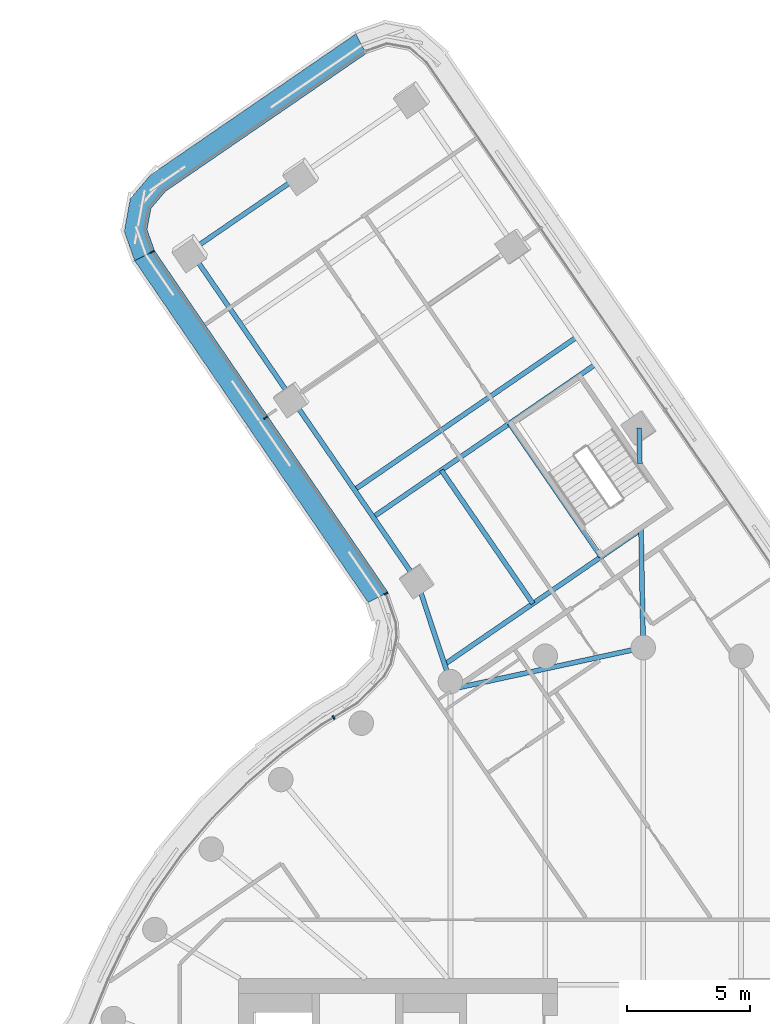
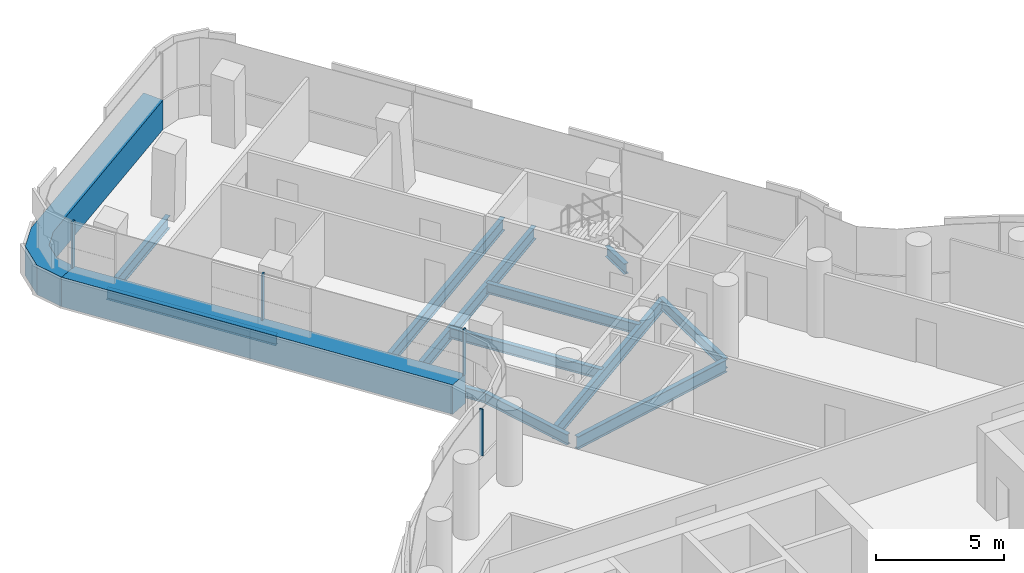
# One storey, part 15 of 33: 12 beams, 6 members, 3 elements without a shape of their own.
"""IFC4 building model written with IfcOpenShell, lengths in metres."""

from ifc_helpers import new_model, si_unit, direction, frame, origin, origin_2d, place, context, subcontext, project, spatial, polyline, rectangle, i_section, outline, extrude, material, layer, layer_set, material_profile, profile_set, type_object, element, aggregate, save


model = new_model("IFC4")

# Units and contexts
model_context = context("Model", 3, precision=1e-05, world=origin(), true_north=direction((0.0, 1.0)))
body_context = subcontext(model_context, "Body", "Model", "MODEL_VIEW")
ifc_project = project(units=[si_unit("LENGTHUNIT", "METRE"), si_unit("AREAUNIT", "SQUARE_METRE"), si_unit("VOLUMEUNIT", "CUBIC_METRE"), si_unit("PLANEANGLEUNIT", "RADIAN"), si_unit("MASSUNIT", "GRAM", prefix="KILO")], contexts=[model_context])

# Site, building, storey
site_placement = place(None, origin())
site = spatial("IfcSite", under=ifc_project, at=site_placement, CompositionType="ELEMENT")
building_placement = place(site_placement, origin())
building = spatial("IfcBuilding", under=site, at=building_placement, Name="Tamarind Cross Interchange Tower", CompositionType="ELEMENT")
storey_placement = place(building_placement, frame((0.0, 0.0, 159.25)))
storey = spatial("IfcBuildingStorey", under=building, at=storey_placement, Name="L39", CompositionType="ELEMENT", Elevation=159.25)

# Beams
ifc_material_1 = material(Name="Steel Q355B", Category="steel")
ifc_material_profile_1 = material_profile(ifc_material_1, i_section(OverallWidth=0.198974609375, OverallDepth=0.49609375, WebThickness=0.009033203125, FlangeThickness=0.013916015625, FilletRadius=0.012939453125, at=origin_2d()), Name="HN 496x199x9x14")
ifc_profile_set_1 = profile_set([ifc_material_profile_1], Name="Steel Q355B")
beam_type_1 = type_object("IfcBeamType", Name="Composite beam HN 496x199x9x14 Q355B", PredefinedType="BEAM", material=ifc_profile_set_1)
beam_1_placement = place(storey_placement, frame((-18.468994140625, 39.1787109375, -0.387939453125), z_axis=(0.566075553028, -0.824353363712, 0.0), x_axis=(0.824353363712, 0.566075553028, 0.0)))
element("IfcBeam", 1, at=beam_1_placement, inside=storey, type_object=beam_type_1, Name="Beam N-edgeep2", PredefinedType="BEAM", context=body_context, shape_type="SweptSolid", body=[
    extrude(i_section(OverallWidth=0.198974609375, OverallDepth=0.49609375, WebThickness=0.009033203125, FlangeThickness=0.013916015625, FilletRadius=0.012939453125, at=origin_2d()), origin(), (0.0, 0.0, 1.0), 7.31640625),
])
beam_2_placement = place(storey_placement, frame((-14.327392578125, 33.1474609375, -0.387939453125), z_axis=(0.566109686972, -0.824329923221, 0.0), x_axis=(0.824329923221, 0.566109686972, 0.0)))
element("IfcBeam", 2, at=beam_2_placement, inside=storey, type_object=beam_type_1, Name="Beam N-edgeep3", PredefinedType="BEAM", context=body_context, shape_type="SweptSolid", body=[
    extrude(i_section(OverallWidth=0.198974609375, OverallDepth=0.49609375, WebThickness=0.009033203125, FlangeThickness=0.013916015625, FilletRadius=0.012939453125, at=origin_2d()), origin(), (0.0, 0.0, 1.0), 9.0),
])
beam_3_placement = place(storey_placement, frame((-0.164794921875, 31.95556640625, -0.387939453125), z_axis=(0.018490449575, -0.999829037023, 0.0), x_axis=(0.999829037023, 0.018490449575, 0.0)))
element("IfcBeam", 3, at=beam_3_placement, inside=storey, type_object=beam_type_1, Name="Beam N-linkemt0", PredefinedType="BEAM", context=body_context, shape_type="SweptSolid", body=[
    extrude(i_section(OverallWidth=0.198974609375, OverallDepth=0.49609375, WebThickness=0.009033203125, FlangeThickness=0.013916015625, FilletRadius=0.012939453125, at=origin_2d()), origin(), (0.0, 0.0, 1.0), 1.452392578125),
])
beam_4_placement = place(storey_placement, frame((-0.08984375, 27.882568359375, -0.387939453125), z_axis=(0.018397805618, -0.999830746051, 0.0), x_axis=(0.999830746051, 0.018397805618, 0.0)))
element("IfcBeam", 4, at=beam_4_placement, inside=storey, type_object=beam_type_1, Name="Beam N-linkemt1", PredefinedType="BEAM", context=body_context, shape_type="SweptSolid", body=[
    extrude(i_section(OverallWidth=0.198974609375, OverallDepth=0.49609375, WebThickness=0.009033203125, FlangeThickness=0.013916015625, FilletRadius=0.012939453125, at=origin_2d()), origin(), (0.0, 0.0, 1.0), 4.88330078125),
])
beam_5_placement = place(storey_placement, frame((-9.232421875, 25.728515625, -0.387939453125), z_axis=(0.315011376477, -0.949087895134, 0.0), x_axis=(0.949087895134, 0.315011376477, 0.0)))
element("IfcBeam", 5, at=beam_5_placement, inside=storey, type_object=beam_type_1, Name="Beam N-linkep", PredefinedType="BEAM", context=body_context, shape_type="SweptSolid", body=[
    extrude(i_section(OverallWidth=0.198974609375, OverallDepth=0.49609375, WebThickness=0.009033203125, FlangeThickness=0.013916015625, FilletRadius=0.012939453125, at=origin_2d()), origin(), (0.0, 0.0, 1.0), 4.336181640625),
])
beam_6_placement = place(storey_placement, frame((-1.715087890625, 26.70556640625, -0.387939453125), z_axis=(-0.566103307052, 0.824334304603, 0.0), x_axis=(-0.824334304603, -0.566103307052, 0.0)))
element("IfcBeam", 6, at=beam_6_placement, inside=storey, type_object=beam_type_1, Name="Beam N-tr1", PredefinedType="BEAM", context=body_context, shape_type="SweptSolid", body=[
    extrude(i_section(OverallWidth=0.198974609375, OverallDepth=0.49609375, WebThickness=0.009033203125, FlangeThickness=0.013916015625, FilletRadius=0.012939453125, at=origin_2d()), origin(), (0.0, 0.0, 1.0), 6.60009765625),
])
beam_7_placement = place(storey_placement, frame((-4.497314453125, 24.795166015625, -0.387939453125), z_axis=(-0.566078170186, 0.824351566529, 0.0), x_axis=(-0.824351566529, -0.566078170186, 0.0)))
element("IfcBeam", 7, at=beam_7_placement, inside=storey, type_object=beam_type_1, Name="Beam N-stripp", PredefinedType="BEAM", context=body_context, shape_type="SweptSolid", body=[
    extrude(i_section(OverallWidth=0.198974609375, OverallDepth=0.49609375, WebThickness=0.009033203125, FlangeThickness=0.013916015625, FilletRadius=0.012939453125, at=origin_2d()), origin(), (0.0, 0.0, 1.0), 6.599853515625),
])
ifc_material_profile_2 = material_profile(ifc_material_1, i_section(OverallWidth=0.199951171875, OverallDepth=0.60009765625, WebThickness=0.010986328125, FlangeThickness=0.01708984375, FilletRadius=0.012939453125, at=origin_2d()), Name="HN 600x200x11x17")
ifc_profile_set_2 = profile_set([ifc_material_profile_2], Name="Steel Q355B")
beam_type_2 = type_object("IfcBeamType", Name="Composite beam HN 600x200x11x17 Q355B", PredefinedType="BEAM", material=ifc_profile_set_2)
beam_8_placement = place(storey_placement, frame((-13.935302734375, 42.292236328125, -0.43994140625), z_axis=(-0.824329354689, -0.566110514828, 0.0), x_axis=(0.566110514828, -0.824329354689, 0.0)))
element("IfcBeam", 8, at=beam_8_placement, inside=storey, type_object=beam_type_2, Name="Beam N-tip1", PredefinedType="BEAM", context=body_context, shape_type="SweptSolid", body=[
    extrude(i_section(OverallWidth=0.199951171875, OverallDepth=0.60009765625, WebThickness=0.010986328125, FlangeThickness=0.01708984375, FilletRadius=0.012939453125, at=origin_2d()), origin(), (0.0, 0.0, 1.0), 5.499755859375),
])
beam_9_placement = place(storey_placement, frame((-0.088623046875, 27.822509765625, -0.43994140625), z_axis=(-0.824343745546, -0.566089559327, 0.0), x_axis=(0.566089559327, -0.824343745546, 0.0)))
element("IfcBeam", 9, at=beam_9_placement, inside=storey, type_object=beam_type_2, Name="Beam N-x268", PredefinedType="BEAM", context=body_context, shape_type="SweptSolid", body=[
    extrude(i_section(OverallWidth=0.199951171875, OverallDepth=0.60009765625, WebThickness=0.010986328125, FlangeThickness=0.01708984375, FilletRadius=0.012939453125, at=origin_2d()), origin(), (0.0, 0.0, 1.0), 9.719970703125),
])
beam_10_placement = place(storey_placement, frame((-1.947998046875, 34.55224609375, -0.43994140625), z_axis=(-0.824336467633, -0.566100157331, 0.0), x_axis=(0.566100157331, -0.824336467633, 0.0)))
element("IfcBeam", 10, at=beam_10_placement, inside=storey, type_object=beam_type_2, Name="Beam N-x334", PredefinedType="BEAM", context=body_context, shape_type="SweptSolid", body=[
    extrude(i_section(OverallWidth=0.199951171875, OverallDepth=0.60009765625, WebThickness=0.010986328125, FlangeThickness=0.01708984375, FilletRadius=0.012939453125, at=origin_2d()), origin(), (0.0, 0.0, 1.0), 11.0),
])
beam_11_placement = place(storey_placement, frame((0.0, 23.0, -0.43994140625), z_axis=(-0.977344360943, -0.21165538059, 0.0), x_axis=(0.21165538059, -0.977344360943, 0.0)))
element("IfcBeam", 11, at=beam_11_placement, inside=storey, type_object=beam_type_2, Name="Beam N-x258", PredefinedType="BEAM", context=body_context, shape_type="SweptSolid", body=[
    extrude(i_section(OverallWidth=0.199951171875, OverallDepth=0.60009765625, WebThickness=0.010986328125, FlangeThickness=0.01708984375, FilletRadius=0.012939453125, at=origin_2d()), origin(), (0.0, 0.0, 1.0), 7.855224609375),
])
beam_12_placement = place(storey_placement, frame((-2.712158203125, 35.6650390625, -0.43994140625), z_axis=(-0.824336467633, -0.566100157331, 0.0), x_axis=(0.566100157331, -0.824336467633, 0.0)))
element("IfcBeam", 12, at=beam_12_placement, inside=storey, type_object=beam_type_2, Name="Beam N-x348", PredefinedType="BEAM", context=body_context, shape_type="SweptSolid", body=[
    extrude(i_section(OverallWidth=0.199951171875, OverallDepth=0.60009765625, WebThickness=0.010986328125, FlangeThickness=0.01708984375, FilletRadius=0.012939453125, at=origin_2d()), origin(), (0.0, 0.0, 1.0), 11.0),
])

# Curtain wall, member
ifc_material_2 = material(Name="Aluminium 6063-T6", Category="aluminium")
ifc_layer = layer(ifc_material_2, 0.159912109375)
ifc_layer_set = layer_set([ifc_layer], Name="Aluminium 6063-T6")
curtain_wall_type = type_object("IfcCurtainWallType", Name="Office curtain wall, 9.0 m bays", PredefinedType="NOTDEFINED", material=ifc_layer_set)
curtain_wall_1_placement = place(storey_placement, origin())
curtain_wall_1 = element("IfcCurtainWall", 13, at=curtain_wall_1_placement, inside=storey, type_object=curtain_wall_type, Name="CWS-L39-12", PredefinedType="NOTDEFINED")
ifc_material_3 = material(Name="Aluminium and insulated spandrel panel", Category="aluminium")
member_type_1 = type_object("IfcMemberType", Name="Floor-edge blade transom", PredefinedType="USERDEFINED", material=ifc_material_3)
member_1_placement = place(storey_placement, origin())
member_1 = element("IfcMember", 14, at=member_1_placement, type_object=member_type_1, Name="CWT-L39-12", ObjectType="TRANSOM", PredefinedType="USERDEFINED", context=body_context, shape_type="SweptSolid", body=[
    extrude(outline(polyline([(-11.30517578125, 47.22509765625), (-19.4833984375, 41.60888671875), (-20.078125, 40.9130859375), (-20.238037109375, 40.05322265625), (-19.9326171875, 39.18994140625), (-20.741943359375, 38.779052734375), (-21.166748046875, 39.98046875), (-20.919189453125, 41.314453125), (-20.090576171875, 42.28369140625), (-11.717041015625, 48.0341796875), (-11.30517578125, 47.22509765625)])), origin(), (0.0, 0.0, 1.0), 1.39990234375),
])
aggregate(curtain_wall_1, [member_1])

# Curtain wall, members
curtain_wall_2_placement = place(storey_placement, origin())
curtain_wall_2 = element("IfcCurtainWall", 15, at=curtain_wall_2_placement, inside=storey, type_object=curtain_wall_type, Name="CWS-L39-13", PredefinedType="NOTDEFINED")
member_2_placement = place(storey_placement, origin())
member_2 = element("IfcMember", 16, at=member_2_placement, type_object=member_type_1, Name="CWT-L39-13", ObjectType="TRANSOM", PredefinedType="USERDEFINED", context=body_context, shape_type="SweptSolid", body=[
    extrude(outline(polyline([(-19.9326171875, 39.18994140625), (-10.404296875, 25.25), (-11.21630859375, 24.84326171875), (-20.741943359375, 38.779052734375), (-19.9326171875, 39.18994140625)])), origin(), (0.0, 0.0, 1.0), 1.39990234375),
])
ifc_material_profile_3 = material_profile(ifc_material_2, rectangle(XDim=0.06005859375, YDim=0.159912109375, at=origin_2d()), Name="Mullion CW1")
ifc_profile_set_3 = profile_set([ifc_material_profile_3], Name="Aluminium 6063-T6")
member_type_2 = type_object("IfcMemberType", Name="Mullion CW1", PredefinedType="MULLION", material=ifc_profile_set_3)
member_3_placement = place(storey_placement, frame((-20.0224609375, 39.144287109375, 1.39990234375), z_axis=(0.0, 0.0, 1.0), x_axis=(0.452684785934, -0.8916706144, 0.0)))
member_3 = element("IfcMember", 17, at=member_3_placement, type_object=member_type_2, Name="CWM-L39-13-00", PredefinedType="MULLION", context=body_context, shape_type="SweptSolid", body=[
    extrude(rectangle(XDim=0.06005859375, YDim=0.159912109375, at=origin_2d()), origin(), (0.0, 0.0, 1.0), 2.210205078125),
])
member_4_placement = place(storey_placement, frame((-15.3984375, 32.379150390625, 1.39990234375), z_axis=(0.0, 0.0, 1.0), x_axis=(0.564300572341, -0.825569418072, 0.0)))
member_4 = element("IfcMember", 18, at=member_4_placement, type_object=member_type_2, Name="CWM-L39-13-01", PredefinedType="MULLION", context=body_context, shape_type="SweptSolid", body=[
    extrude(rectangle(XDim=0.06005859375, YDim=0.159912109375, at=origin_2d()), origin(), (0.0, 0.0, 1.0), 2.210205078125),
])
aggregate(curtain_wall_2, [member_3, member_4, member_2])

curtain_wall_3_placement = place(storey_placement, origin())
curtain_wall_3 = element("IfcCurtainWall", 19, at=curtain_wall_3_placement, inside=storey, type_object=curtain_wall_type, Name="CWS-L39-14", PredefinedType="NOTDEFINED")
member_5_placement = place(storey_placement, frame((-10.494384765625, 25.204833984375, 1.39990234375), z_axis=(0.0, 0.0, 1.0), x_axis=(0.447894189864, -0.894086570017, 0.0)))
member_5 = element("IfcMember", 20, at=member_5_placement, type_object=member_type_2, Name="CWM-L39-14-00", PredefinedType="MULLION", context=body_context, shape_type="SweptSolid", body=[
    extrude(rectangle(XDim=0.06005859375, YDim=0.159912109375, at=origin_2d()), origin(), (0.0, 0.0, 1.0), 2.210205078125),
])
member_6_placement = place(storey_placement, frame((-12.629150390625, 20.149169921875, 1.39990234375), z_axis=(0.0, 0.0, 1.0), x_axis=(-0.856439295542, -0.51624774387, 0.0)))
member_6 = element("IfcMember", 21, at=member_6_placement, type_object=member_type_2, Name="CWM-L39-14-01", PredefinedType="MULLION", context=body_context, shape_type="SweptSolid", body=[
    extrude(rectangle(XDim=0.06005859375, YDim=0.159912109375, at=origin_2d()), origin(), (0.0, 0.0, 1.0), 2.210205078125),
])
aggregate(curtain_wall_3, [member_5, member_6])

save(model, "model.ifc")
